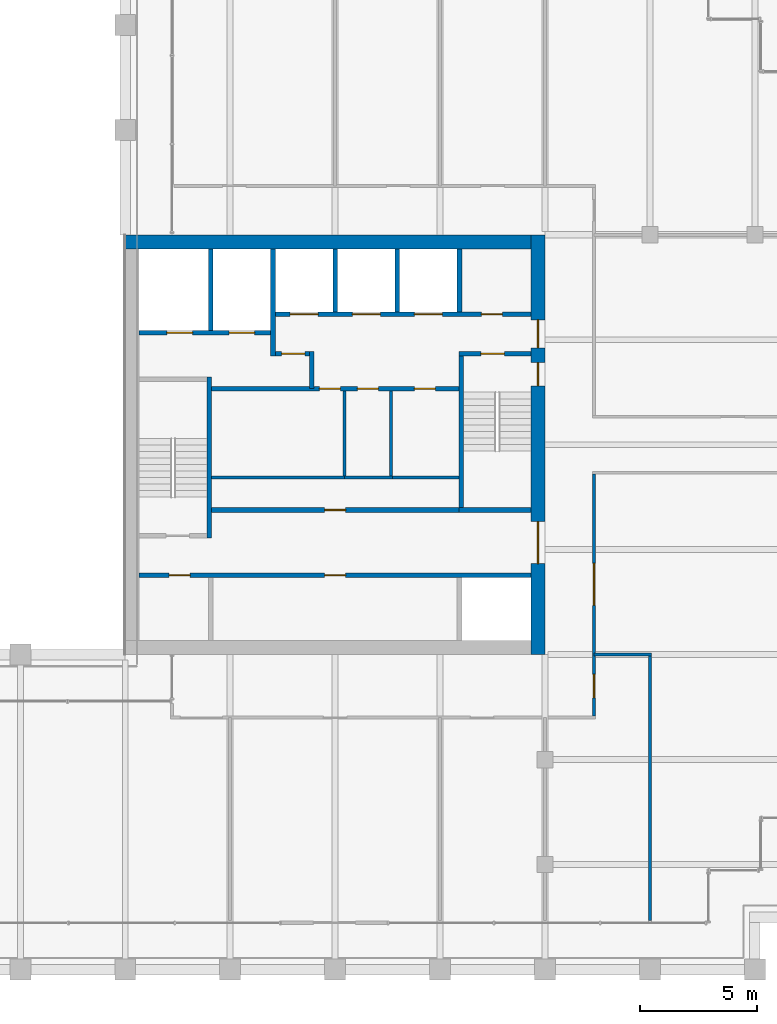
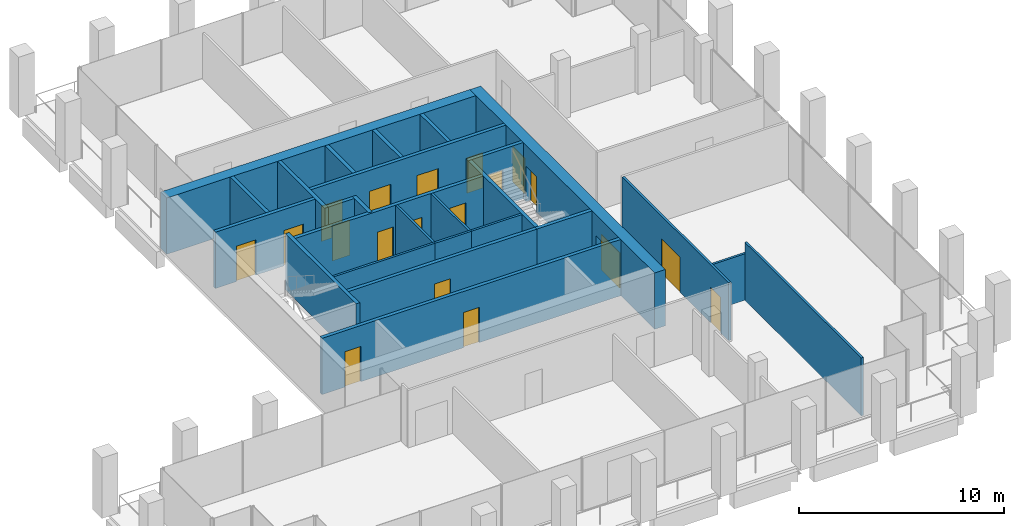
# One storey, part 36 of 40: 26 walls, 19 doors, 19 openings.
"""IFC4 building model written with IfcOpenShell, lengths in metres."""

from ifc_helpers import new_model, si_unit, direction, frame, frame_2d, origin, place, context, subcontext, project, spatial, rectangle, extrude, material, layer, layer_set, type_object, element, fill, save


model = new_model("IFC4")

# Units and contexts
model_context = context("Model", 3, precision=1e-05, world=origin(), true_north=direction((0.0, 1.0)))
body_context = subcontext(model_context, "Body", "Model", "MODEL_VIEW")
ifc_project = project(units=[si_unit("LENGTHUNIT", "METRE"), si_unit("AREAUNIT", "SQUARE_METRE"), si_unit("VOLUMEUNIT", "CUBIC_METRE"), si_unit("PLANEANGLEUNIT", "RADIAN"), si_unit("MASSUNIT", "GRAM", prefix="KILO")], contexts=[model_context])

# Site, building, storey
site_placement = place(None, origin())
site = spatial("IfcSite", under=ifc_project, at=site_placement, CompositionType="ELEMENT")
building_placement = place(site_placement, origin())
building = spatial("IfcBuilding", under=site, at=building_placement, Name="Altepetl Exchange Towers", CompositionType="ELEMENT")
storey_placement = place(building_placement, frame((0.0, 0.0, 172.60009765625)))
storey = spatial("IfcBuildingStorey", under=building, at=storey_placement, Name="L43", CompositionType="ELEMENT", Elevation=172.60009765625)

# Wall, openings, doors
ifc_material_1 = material(Name="Concrete C70/85", Category="concrete")
ifc_layer_1 = layer(ifc_material_1, 0.60009765625)
ifc_layer_set_1 = layer_set([ifc_layer_1], Name="Concrete C70/85")
wall_type_1 = type_object("IfcWallType", Name="Core wall 600 reinforced concrete", PredefinedType="SHEAR", material=ifc_layer_set_1)
wall_1_placement = place(storey_placement, frame((58.199951171875, 40.5, 0.0), z_axis=(0.0, 0.0, 1.0), x_axis=(0.0, 1.0, 0.0)))
wall_1 = element("IfcWall", 1, at=wall_1_placement, inside=storey, type_object=wall_type_1, Name="wall:A:L43:K-coreE", PredefinedType="SHEAR", context=body_context, shape_type="SweptSolid", body=[
    extrude(rectangle(XDim=18.0, YDim=0.60009765625, at=frame_2d((9.0, 0.0))), origin(), (0.0, 0.0, 1.0), 3.349853515625),
])
opening_1_placement = place(wall_1_placement, frame((13.14990234375, 0.0, 0.0)))
opening_1 = element("IfcOpeningElement", 2, at=opening_1_placement, cuts=wall_1, Name="Opening L43.A60", PredefinedType="OPENING", context=body_context, shape_type="SweptSolid", body=[
    extrude(rectangle(XDim=1.199951171875, YDim=2.10009765625, at=frame_2d((0.60009765625, 1.050048828125))), frame((0.0, 0.31005859375, 0.0), z_axis=(0.0, -1.0, 0.0), x_axis=(1.0, 0.0, 0.0)), (0.0, 0.0, 1.0), 0.6201171875),
])
opening_2_placement = place(wall_1_placement, frame((3.89990234375, 0.0, 0.0)))
opening_2 = element("IfcOpeningElement", 3, at=opening_2_placement, cuts=wall_1, Name="Opening L43.A61", PredefinedType="OPENING", context=body_context, shape_type="SweptSolid", body=[
    extrude(rectangle(XDim=1.800048828125, YDim=2.10009765625, at=frame_2d((0.89990234375, 1.050048828125))), frame((0.0, 0.31005859375, 0.0), z_axis=(0.0, -1.0, 0.0), x_axis=(1.0, 0.0, 0.0)), (0.0, 0.0, 1.0), 0.6201171875),
])
opening_3_placement = place(wall_1_placement, frame((11.52490234375, 0.0, 0.0)))
opening_3 = element("IfcOpeningElement", 4, at=opening_3_placement, cuts=wall_1, Name="Opening L43.A64", PredefinedType="OPENING", context=body_context, shape_type="SweptSolid", body=[
    extrude(rectangle(XDim=1.0, YDim=2.10009765625, at=frame_2d((0.5, 1.050048828125))), frame((0.0, 0.31005859375, 0.0), z_axis=(0.0, -1.0, 0.0), x_axis=(1.0, 0.0, 0.0)), (0.0, 0.0, 1.0), 0.6201171875),
])
ifc_material_2 = material(Name="Steel and timber fire door", Category="steel")
door_type_1 = type_object("IfcDoorType", Name="Fire door 1000 x 2100 stair and lobby", OperationType="SINGLE_SWING_LEFT", PredefinedType="DOOR", material=ifc_material_2)
door_1_placement = place(opening_3_placement, origin())
door_1 = element("IfcDoor", 5, at=door_1_placement, inside=storey, type_object=door_type_1, Name="door:A:L43:K-dS2x", OperationType="SINGLE_SWING_RIGHT", OverallHeight=2.10009765625, OverallWidth=1.0, PredefinedType="DOOR", context=body_context, shape_type="SweptSolid", body=[
    extrude(rectangle(XDim=1.0, YDim=2.10009765625, at=frame_2d((0.5, 1.050048828125))), frame((0.0, 0.02490234375, 0.0), z_axis=(0.0, -1.0, 0.0), x_axis=(1.0, 0.0, 0.0)), (0.0, 0.0, 1.0), 0.050048828125),
])
fill(opening_3, door_1)
door_type_2 = type_object("IfcDoorType", Name="Fire door 1200 x 2100 lobby entry", OperationType="SINGLE_SWING_LEFT", PredefinedType="DOOR", material=ifc_material_2)
door_2_placement = place(opening_1_placement, origin())
door_2 = element("IfcDoor", 6, at=door_2_placement, inside=storey, type_object=door_type_2, Name="door:A:L43:K-dLNE", OperationType="SINGLE_SWING_RIGHT", OverallHeight=2.10009765625, OverallWidth=1.199951171875, PredefinedType="DOOR", context=body_context, shape_type="SweptSolid", body=[
    extrude(rectangle(XDim=1.199951171875, YDim=2.10009765625, at=frame_2d((0.60009765625, 1.050048828125))), frame((0.0, 0.02490234375, 0.0), z_axis=(0.0, -1.0, 0.0), x_axis=(1.0, 0.0, 0.0)), (0.0, 0.0, 1.0), 0.050048828125),
])
fill(opening_1, door_2)
door_type_3 = type_object("IfcDoorType", Name="Fire door 1800 x 2100 lobby entry", OperationType="DOUBLE_DOOR_SINGLE_SWING", PredefinedType="DOOR", material=ifc_material_2)
door_3_placement = place(opening_2_placement, origin())
door_3 = element("IfcDoor", 7, at=door_3_placement, inside=storey, type_object=door_type_3, Name="door:A:L43:K-dLSE", OperationType="DOUBLE_DOOR_SINGLE_SWING", OverallHeight=2.10009765625, OverallWidth=1.800048828125, PredefinedType="DOOR", context=body_context, shape_type="SweptSolid", body=[
    extrude(rectangle(XDim=1.800048828125, YDim=2.10009765625, at=frame_2d((0.89990234375, 1.050048828125))), frame((0.0, 0.02490234375, 0.0), z_axis=(0.0, -1.0, 0.0), x_axis=(1.0, 0.0, 0.0)), (0.0, 0.0, 1.0), 0.050048828125),
])
fill(opening_2, door_3)

# Walls
wall_2_placement = place(storey_placement, frame((40.5, 58.199951171875, 0.0)))
element("IfcWall", 8, at=wall_2_placement, inside=storey, type_object=wall_type_1, Name="wall:A:L43:K-coreN", PredefinedType="SHEAR", context=body_context, shape_type="SweptSolid", body=[
    extrude(rectangle(XDim=17.39990234375, YDim=0.60009765625, at=frame_2d((8.699951171875, 0.0))), origin(), (0.0, 0.0, 1.0), 3.349853515625),
])
ifc_material_3 = material(Name="Concrete blockwork", Category="masonry")
ifc_layer_2 = layer(ifc_material_3, 0.199951171875)
ifc_layer_set_2 = layer_set([ifc_layer_2], Name="Concrete blockwork")
wall_type_2 = type_object("IfcWallType", Name="Lobby wall 200 blockwork", PredefinedType="PARTITIONING", material=ifc_layer_set_2)
wall_3_placement = place(storey_placement, frame((48.5, 51.89990234375, 0.0), z_axis=(0.0, 0.0, 1.0), x_axis=(0.0, 1.0, 0.0)))
element("IfcWall", 9, at=wall_3_placement, inside=storey, type_object=wall_type_2, Name="wall:A:L43:K-ffE", PredefinedType="PARTITIONING", context=body_context, shape_type="SweptSolid", body=[
    extrude(rectangle(XDim=1.60009765625, YDim=0.199951171875, at=frame_2d((0.800048828125, 0.0))), origin(), (0.0, 0.0, 1.0), 3.349853515625),
])

# Wall, opening, door
wall_4_placement = place(storey_placement, frame((46.933349609375, 53.39990234375, 0.0)))
wall_4 = element("IfcWall", 10, at=wall_4_placement, inside=storey, type_object=wall_type_2, Name="wall:A:L43:K-ffN", PredefinedType="PARTITIONING", context=body_context, shape_type="SweptSolid", body=[
    extrude(rectangle(XDim=1.466552734375, YDim=0.199951171875, at=frame_2d((0.7333984375, 0.0))), origin(), (0.0, 0.0, 1.0), 3.349853515625),
])
opening_4_placement = place(wall_4_placement, frame((0.2666015625, 0.0, 0.0)))
opening_4 = element("IfcOpeningElement", 11, at=opening_4_placement, cuts=wall_4, Name="Opening L43.A65", PredefinedType="OPENING", context=body_context, shape_type="SweptSolid", body=[
    extrude(rectangle(XDim=1.0, YDim=2.10009765625, at=frame_2d((0.5, 1.050048828125))), frame((0.0, 0.10986328125, 0.0), z_axis=(0.0, -1.0, 0.0), x_axis=(1.0, 0.0, 0.0)), (0.0, 0.0, 1.0), 0.219970703125),
])
door_4_placement = place(opening_4_placement, frame((1.0, 0.0, 0.0), x_axis=(-1.0, 0.0, 0.0)))
door_4 = element("IfcDoor", 12, at=door_4_placement, inside=storey, type_object=door_type_1, Name="door:A:L43:K-dffN", OperationType="SINGLE_SWING_RIGHT", OverallHeight=2.10009765625, OverallWidth=1.0, PredefinedType="DOOR", context=body_context, shape_type="SweptSolid", body=[
    extrude(rectangle(XDim=1.0, YDim=2.10009765625, at=frame_2d((0.5, 1.050048828125))), frame((0.0, 0.02490234375, 0.0), z_axis=(0.0, -1.0, 0.0), x_axis=(1.0, 0.0, 0.0)), (0.0, 0.0, 1.0), 0.050048828125),
])
fill(opening_4, door_4)

# Wall, openings, doors
wall_5_placement = place(storey_placement, frame((44.199951171875, 51.89990234375, 0.0)))
wall_5 = element("IfcWall", 13, at=wall_5_placement, inside=storey, type_object=wall_type_2, Name="wall:A:L43:K-zoneN", PredefinedType="PARTITIONING", context=body_context, shape_type="SweptSolid", body=[
    extrude(rectangle(XDim=10.60009765625, YDim=0.199951171875, at=frame_2d((5.300048828125, 0.0))), origin(), (0.0, 0.0, 1.0), 3.349853515625),
])
opening_5_placement = place(wall_5_placement, frame((4.625, 0.0, 0.0)))
opening_5 = element("IfcOpeningElement", 14, at=opening_5_placement, cuts=wall_5, Name="Opening L43.A70", PredefinedType="OPENING", context=body_context, shape_type="SweptSolid", body=[
    extrude(rectangle(XDim=0.89990234375, YDim=2.10009765625, at=frame_2d((0.449951171875, 1.050048828125))), frame((0.0, 0.10986328125, 0.0), z_axis=(0.0, -1.0, 0.0), x_axis=(1.0, 0.0, 0.0)), (0.0, 0.0, 1.0), 0.219970703125),
])
opening_6_placement = place(wall_5_placement, frame((6.25, 0.0, 0.0)))
opening_6 = element("IfcOpeningElement", 15, at=opening_6_placement, cuts=wall_5, Name="Opening L43.A71", PredefinedType="OPENING", context=body_context, shape_type="SweptSolid", body=[
    extrude(rectangle(XDim=0.89990234375, YDim=2.10009765625, at=frame_2d((0.449951171875, 1.050048828125))), frame((0.0, 0.10986328125, 0.0), z_axis=(0.0, -1.0, 0.0), x_axis=(1.0, 0.0, 0.0)), (0.0, 0.0, 1.0), 0.219970703125),
])
opening_7_placement = place(wall_5_placement, frame((8.699951171875, 0.0, 0.0)))
opening_7 = element("IfcOpeningElement", 16, at=opening_7_placement, cuts=wall_5, Name="Opening L43.A72", PredefinedType="OPENING", context=body_context, shape_type="SweptSolid", body=[
    extrude(rectangle(XDim=0.89990234375, YDim=2.10009765625, at=frame_2d((0.449951171875, 1.050048828125))), frame((0.0, 0.10986328125, 0.0), z_axis=(0.0, -1.0, 0.0), x_axis=(1.0, 0.0, 0.0)), (0.0, 0.0, 1.0), 0.219970703125),
])
door_type_4 = type_object("IfcDoorType", Name="Fire door 900 x 2100 service room", OperationType="SINGLE_SWING_LEFT", PredefinedType="DOOR", material=ifc_material_2)
door_5_placement = place(opening_5_placement, frame((0.89990234375, 0.0, 0.0), x_axis=(-1.0, 0.0, 0.0)))
door_5 = element("IfcDoor", 17, at=door_5_placement, inside=storey, type_object=door_type_4, Name="door:A:L43:K-dz2", OperationType="SINGLE_SWING_RIGHT", OverallHeight=2.10009765625, OverallWidth=0.89990234375, PredefinedType="DOOR", context=body_context, shape_type="SweptSolid", body=[
    extrude(rectangle(XDim=0.89990234375, YDim=2.10009765625, at=frame_2d((0.449951171875, 1.050048828125))), frame((0.0, 0.02490234375, 0.0), z_axis=(0.0, -1.0, 0.0), x_axis=(1.0, 0.0, 0.0)), (0.0, 0.0, 1.0), 0.050048828125),
])
fill(opening_5, door_5)
door_6_placement = place(opening_6_placement, frame((0.89990234375, 0.0, 0.0), x_axis=(-1.0, 0.0, 0.0)))
door_6 = element("IfcDoor", 18, at=door_6_placement, inside=storey, type_object=door_type_4, Name="door:A:L43:K-dz3", OperationType="SINGLE_SWING_LEFT", OverallHeight=2.10009765625, OverallWidth=0.89990234375, PredefinedType="DOOR", context=body_context, shape_type="SweptSolid", body=[
    extrude(rectangle(XDim=0.89990234375, YDim=2.10009765625, at=frame_2d((0.449951171875, 1.050048828125))), frame((0.0, 0.02490234375, 0.0), z_axis=(0.0, -1.0, 0.0), x_axis=(1.0, 0.0, 0.0)), (0.0, 0.0, 1.0), 0.050048828125),
])
fill(opening_6, door_6)
door_7_placement = place(opening_7_placement, frame((0.89990234375, 0.0, 0.0), x_axis=(-1.0, 0.0, 0.0)))
door_7 = element("IfcDoor", 19, at=door_7_placement, inside=storey, type_object=door_type_4, Name="door:A:L43:K-dz4", OperationType="SINGLE_SWING_LEFT", OverallHeight=2.10009765625, OverallWidth=0.89990234375, PredefinedType="DOOR", context=body_context, shape_type="SweptSolid", body=[
    extrude(rectangle(XDim=0.89990234375, YDim=2.10009765625, at=frame_2d((0.449951171875, 1.050048828125))), frame((0.0, 0.02490234375, 0.0), z_axis=(0.0, -1.0, 0.0), x_axis=(1.0, 0.0, 0.0)), (0.0, 0.0, 1.0), 0.050048828125),
])
fill(opening_7, door_7)

# Wall, opening, door
wall_6_placement = place(storey_placement, frame((44.199951171875, 46.699951171875, 0.0)))
wall_6 = element("IfcWall", 20, at=wall_6_placement, inside=storey, type_object=wall_type_2, Name="wall:A:L43:K-zoneS", PredefinedType="PARTITIONING", context=body_context, shape_type="SweptSolid", body=[
    extrude(rectangle(XDim=10.60009765625, YDim=0.199951171875, at=frame_2d((5.300048828125, 0.0))), origin(), (0.0, 0.0, 1.0), 3.349853515625),
])
opening_8_placement = place(wall_6_placement, frame((4.85009765625, 0.0, 0.0)))
opening_8 = element("IfcOpeningElement", 21, at=opening_8_placement, cuts=wall_6, Name="Opening L43.A69", PredefinedType="OPENING", context=body_context, shape_type="SweptSolid", body=[
    extrude(rectangle(XDim=0.89990234375, YDim=2.10009765625, at=frame_2d((0.449951171875, 1.050048828125))), frame((0.0, 0.10986328125, 0.0), z_axis=(0.0, -1.0, 0.0), x_axis=(1.0, 0.0, 0.0)), (0.0, 0.0, 1.0), 0.219970703125),
])
door_8_placement = place(opening_8_placement, origin())
door_8 = element("IfcDoor", 22, at=door_8_placement, inside=storey, type_object=door_type_4, Name="door:A:L43:K-dz1", OperationType="SINGLE_SWING_LEFT", OverallHeight=2.10009765625, OverallWidth=0.89990234375, PredefinedType="DOOR", context=body_context, shape_type="SweptSolid", body=[
    extrude(rectangle(XDim=0.89990234375, YDim=2.10009765625, at=frame_2d((0.449951171875, 1.050048828125))), frame((0.0, 0.02490234375, 0.0), z_axis=(0.0, -1.0, 0.0), x_axis=(1.0, 0.0, 0.0)), (0.0, 0.0, 1.0), 0.050048828125),
])
fill(opening_8, door_8)

# Walls
ifc_material_4 = material(Name="Gypsum board on steel studs", Category="steel")
ifc_layer_3 = layer(ifc_material_4, 0.125)
ifc_layer_set_3 = layer_set([ifc_layer_3], Name="Gypsum board on steel studs")
wall_type_3 = type_object("IfcWallType", Name="Partition 125 gypsum board on steel studs", PredefinedType="PARTITIONING", material=ifc_layer_set_3)
wall_7_placement = place(storey_placement, frame((49.96240234375, 48.10009765625, 0.0), z_axis=(0.0, 0.0, 1.0), x_axis=(-1.0, 0.0, 0.0)))
element("IfcWall", 23, at=wall_7_placement, inside=storey, type_object=wall_type_3, Name="wall:A:L43:K-zp1", PredefinedType="PARTITIONING", context=body_context, shape_type="SweptSolid", body=[
    extrude(rectangle(XDim=5.762451171875, YDim=0.125, at=frame_2d((2.88134765625, 0.0))), origin(), (0.0, 0.0, 1.0), 3.349853515625),
])
wall_8_placement = place(storey_placement, frame((51.96240234375, 48.10009765625, 0.0), z_axis=(0.0, 0.0, 1.0), x_axis=(-1.0, 0.0, 0.0)))
element("IfcWall", 24, at=wall_8_placement, inside=storey, type_object=wall_type_3, Name="wall:A:L43:K-zp2", PredefinedType="PARTITIONING", context=body_context, shape_type="SweptSolid", body=[
    extrude(rectangle(XDim=2.0625, YDim=0.125, at=frame_2d((1.03125, 0.0))), origin(), (0.0, 0.0, 1.0), 3.349853515625),
])
wall_9_placement = place(storey_placement, frame((49.89990234375, 48.16259765625, 0.0), z_axis=(0.0, 0.0, 1.0), x_axis=(0.0, 1.0, 0.0)))
element("IfcWall", 25, at=wall_9_placement, inside=storey, type_object=wall_type_3, Name="wall:A:L43:K-zp3", PredefinedType="PARTITIONING", context=body_context, shape_type="SweptSolid", body=[
    extrude(rectangle(XDim=3.637451171875, YDim=0.125, at=frame_2d((1.81884765625, 0.0))), origin(), (0.0, 0.0, 1.0), 3.349853515625),
])
wall_10_placement = place(storey_placement, frame((54.800048828125, 48.10009765625, 0.0), z_axis=(0.0, 0.0, 1.0), x_axis=(-1.0, 0.0, 0.0)))
element("IfcWall", 26, at=wall_10_placement, inside=storey, type_object=wall_type_3, Name="wall:A:L43:K-zp4", PredefinedType="PARTITIONING", context=body_context, shape_type="SweptSolid", body=[
    extrude(rectangle(XDim=2.900146484375, YDim=0.125, at=frame_2d((1.4501953125, 0.0))), origin(), (0.0, 0.0, 1.0), 3.349853515625),
])
wall_11_placement = place(storey_placement, frame((51.89990234375, 48.16259765625, 0.0), z_axis=(0.0, 0.0, 1.0), x_axis=(0.0, 1.0, 0.0)))
element("IfcWall", 27, at=wall_11_placement, inside=storey, type_object=wall_type_3, Name="wall:A:L43:K-zp5", PredefinedType="PARTITIONING", context=body_context, shape_type="SweptSolid", body=[
    extrude(rectangle(XDim=3.637451171875, YDim=0.125, at=frame_2d((1.81884765625, 0.0))), origin(), (0.0, 0.0, 1.0), 3.349853515625),
])
wall_12_placement = place(storey_placement, frame((60.60009765625, 40.5, 0.0)))
element("IfcWall", 28, at=wall_12_placement, inside=storey, type_object=wall_type_3, Name="wall:A:L43:P02", PredefinedType="PARTITIONING", context=body_context, shape_type="SweptSolid", body=[
    extrude(rectangle(XDim=2.46240234375, YDim=0.125, at=frame_2d((1.231201171875, 0.0))), origin(), (0.0, 0.0, 1.0), 2.765869140625),
])

# Wall, openings, doors
wall_13_placement = place(storey_placement, frame((60.60009765625, 37.862548828125, 0.0), z_axis=(0.0, 0.0, 1.0), x_axis=(0.0, 1.0, 0.0)))
wall_13 = element("IfcWall", 29, at=wall_13_placement, inside=storey, type_object=wall_type_3, Name="wall:A:L43:P18", PredefinedType="PARTITIONING", context=body_context, shape_type="SweptSolid", body=[
    extrude(rectangle(XDim=10.375, YDim=0.125, at=frame_2d((5.1875, 0.0))), origin(), (0.0, 0.0, 1.0), 3.449951171875),
])
opening_9_placement = place(wall_13_placement, frame((0.78759765625, 0.0, 0.0)))
opening_9 = element("IfcOpeningElement", 30, at=opening_9_placement, cuts=wall_13, Name="Opening L43.A04", PredefinedType="OPENING", context=body_context, shape_type="SweptSolid", body=[
    extrude(rectangle(XDim=1.0, YDim=2.10009765625, at=frame_2d((0.5, 1.050048828125))), frame((0.0, 0.072509765625, 0.0), z_axis=(0.0, -1.0, 0.0), x_axis=(1.0, 0.0, 0.0)), (0.0, 0.0, 1.0), 0.14501953125),
])
opening_10_placement = place(wall_13_placement, frame((4.74560546875, 0.0, 0.0)))
opening_10 = element("IfcOpeningElement", 31, at=opening_10_placement, cuts=wall_13, Name="Opening L43.A05", PredefinedType="OPENING", context=body_context, shape_type="SweptSolid", body=[
    extrude(rectangle(XDim=1.800048828125, YDim=2.10009765625, at=frame_2d((0.89990234375, 1.050048828125))), frame((0.0, 0.072509765625, 0.0), z_axis=(0.0, -1.0, 0.0), x_axis=(1.0, 0.0, 0.0)), (0.0, 0.0, 1.0), 0.14501953125),
])
door_type_5 = type_object("IfcDoorType", Name="Fire door 1000 x 2100 single leaf", OperationType="SINGLE_SWING_LEFT", PredefinedType="DOOR", material=ifc_material_2)
door_9_placement = place(opening_9_placement, frame((1.0, 0.0, 0.0), x_axis=(-1.0, 0.0, 0.0)))
door_9 = element("IfcDoor", 32, at=door_9_placement, inside=storey, type_object=door_type_5, Name="door:A:L43:04", OperationType="SINGLE_SWING_RIGHT", OverallHeight=2.10009765625, OverallWidth=1.0, PredefinedType="DOOR", context=body_context, shape_type="SweptSolid", body=[
    extrude(rectangle(XDim=1.0, YDim=2.10009765625, at=frame_2d((0.5, 1.050048828125))), frame((0.0, 0.02490234375, 0.0), z_axis=(0.0, -1.0, 0.0), x_axis=(1.0, 0.0, 0.0)), (0.0, 0.0, 1.0), 0.050048828125),
])
fill(opening_9, door_9)
door_type_6 = type_object("IfcDoorType", Name="Fire door 1800 x 2100 double leaf", OperationType="DOUBLE_DOOR_SINGLE_SWING", PredefinedType="DOOR", material=ifc_material_2)
door_10_placement = place(opening_10_placement, frame((1.800048828125, 0.0, 0.0), x_axis=(-1.0, 0.0, 0.0)))
door_10 = element("IfcDoor", 33, at=door_10_placement, inside=storey, type_object=door_type_6, Name="door:A:L43:05", OperationType="DOUBLE_DOOR_SINGLE_SWING", OverallHeight=2.10009765625, OverallWidth=1.800048828125, PredefinedType="DOOR", context=body_context, shape_type="SweptSolid", body=[
    extrude(rectangle(XDim=1.800048828125, YDim=2.10009765625, at=frame_2d((0.89990234375, 1.050048828125))), frame((0.0, 0.02490234375, 0.0), z_axis=(0.0, -1.0, 0.0), x_axis=(1.0, 0.0, 0.0)), (0.0, 0.0, 1.0), 0.050048828125),
])
fill(opening_10, door_10)

# Walls
wall_14_placement = place(storey_placement, frame((63.0, 29.10009765625, 0.0), z_axis=(0.0, 0.0, 1.0), x_axis=(0.0, 1.0, 0.0)))
element("IfcWall", 34, at=wall_14_placement, inside=storey, type_object=wall_type_3, Name="wall:A:L43:P20", PredefinedType="PARTITIONING", context=body_context, shape_type="SweptSolid", body=[
    extrude(rectangle(XDim=11.33740234375, YDim=0.125, at=frame_2d((5.668701171875, 0.0))), origin(), (0.0, 0.0, 1.0), 3.449951171875),
])
ifc_material_5 = material(Name="Concrete C40/50", Category="concrete")
ifc_layer_4 = layer(ifc_material_5, 0.199951171875)
ifc_layer_set_4 = layer_set([ifc_layer_4], Name="Concrete C40/50")
wall_type_4 = type_object("IfcWallType", Name="Shaft wall 200 reinforced concrete", PredefinedType="SHEAR", material=ifc_layer_set_4)
wall_15_placement = place(storey_placement, frame((44.166748046875, 57.89990234375, 0.0), z_axis=(0.0, 0.0, 1.0), x_axis=(0.0, -1.0, 0.0)))
element("IfcWall", 35, at=wall_15_placement, inside=storey, type_object=wall_type_4, Name="wall:A:L43:K-divN1", PredefinedType="SHEAR", context=body_context, shape_type="SweptSolid", body=[
    extrude(rectangle(XDim=3.5, YDim=0.199951171875, at=frame_2d((1.75, 0.0))), origin(), (0.0, 0.0, 1.0), 3.349853515625),
])
wall_16_placement = place(storey_placement, frame((46.833251953125, 57.89990234375, 0.0), z_axis=(0.0, 0.0, 1.0), x_axis=(0.0, -1.0, 0.0)))
element("IfcWall", 36, at=wall_16_placement, inside=storey, type_object=wall_type_4, Name="wall:A:L43:K-divN2", PredefinedType="SHEAR", context=body_context, shape_type="SweptSolid", body=[
    extrude(rectangle(XDim=4.599853515625, YDim=0.199951171875, at=frame_2d((2.2998046875, 0.0))), origin(), (0.0, 0.0, 1.0), 3.349853515625),
])
for number, where, z_axis, x_axis, name in (
    (37, (49.5, 57.89990234375, 0.0), (0.0, 0.0, 1.0), (0.0, -1.0, 0.0), "wall:A:L43:K-divN3"),
    (38, (52.166748046875, 57.89990234375, 0.0), (0.0, 0.0, 1.0), (0.0, -1.0, 0.0), "wall:A:L43:K-divN4"),
    (39, (54.833251953125, 57.89990234375, 0.0), (0.0, 0.0, 1.0), (0.0, -1.0, 0.0), "wall:A:L43:K-divN5"),
):
    element("IfcWall", number, at=place(storey_placement, frame(where, z_axis=z_axis, x_axis=x_axis)), inside=storey, type_object=wall_type_4, Name=name, PredefinedType="SHEAR", context=body_context, shape_type="SweptSolid", body=[
        extrude(rectangle(XDim=2.699951171875, YDim=0.199951171875, at=frame_2d((1.35009765625, 0.0))), origin(), (0.0, 0.0, 1.0), 3.349853515625),
    ])

# Wall, openings, doors
wall_17_placement = place(storey_placement, frame((46.933349609375, 55.10009765625, 0.0)))
wall_17 = element("IfcWall", 40, at=wall_17_placement, inside=storey, type_object=wall_type_4, Name="wall:A:L43:K-frontNb", PredefinedType="SHEAR", context=body_context, shape_type="SweptSolid", body=[
    extrude(rectangle(XDim=10.966552734375, YDim=0.199951171875, at=frame_2d((5.4833984375, 0.0))), origin(), (0.0, 0.0, 1.0), 3.349853515625),
])
opening_11_placement = place(wall_17_placement, frame((8.83349609375, 0.0, 0.0)))
opening_11 = element("IfcOpeningElement", 41, at=opening_11_placement, cuts=wall_17, Name="Opening L43.A66", PredefinedType="OPENING", context=body_context, shape_type="SweptSolid", body=[
    extrude(rectangle(XDim=0.89990234375, YDim=2.10009765625, at=frame_2d((0.449951171875, 1.050048828125))), frame((0.0, 0.10986328125, 0.0), z_axis=(0.0, -1.0, 0.0), x_axis=(1.0, 0.0, 0.0)), (0.0, 0.0, 1.0), 0.219970703125),
])
opening_12_placement = place(wall_17_placement, frame((0.63330078125, 0.0, 0.0)))
opening_12 = element("IfcOpeningElement", 42, at=opening_12_placement, cuts=wall_17, Name="Opening L43.A75", PredefinedType="OPENING", context=body_context, shape_type="SweptSolid", body=[
    extrude(rectangle(XDim=1.199951171875, YDim=2.10009765625, at=frame_2d((0.60009765625, 1.050048828125))), frame((0.0, 0.10986328125, 0.0), z_axis=(0.0, -1.0, 0.0), x_axis=(1.0, 0.0, 0.0)), (0.0, 0.0, 1.0), 0.219970703125),
])
opening_13_placement = place(wall_17_placement, frame((3.300048828125, 0.0, 0.0)))
opening_13 = element("IfcOpeningElement", 43, at=opening_13_placement, cuts=wall_17, Name="Opening L43.A76", PredefinedType="OPENING", context=body_context, shape_type="SweptSolid", body=[
    extrude(rectangle(XDim=1.199951171875, YDim=2.10009765625, at=frame_2d((0.60009765625, 1.050048828125))), frame((0.0, 0.10986328125, 0.0), z_axis=(0.0, -1.0, 0.0), x_axis=(1.0, 0.0, 0.0)), (0.0, 0.0, 1.0), 0.219970703125),
])
opening_14_placement = place(wall_17_placement, frame((5.966796875, 0.0, 0.0)))
opening_14 = element("IfcOpeningElement", 44, at=opening_14_placement, cuts=wall_17, Name="Opening L43.A77", PredefinedType="OPENING", context=body_context, shape_type="SweptSolid", body=[
    extrude(rectangle(XDim=1.199951171875, YDim=2.10009765625, at=frame_2d((0.60009765625, 1.050048828125))), frame((0.0, 0.10986328125, 0.0), z_axis=(0.0, -1.0, 0.0), x_axis=(1.0, 0.0, 0.0)), (0.0, 0.0, 1.0), 0.219970703125),
])
door_11_placement = place(opening_11_placement, origin())
door_11 = element("IfcDoor", 45, at=door_11_placement, inside=storey, type_object=door_type_4, Name="door:A:L43:K-driser", OperationType="SINGLE_SWING_RIGHT", OverallHeight=2.10009765625, OverallWidth=0.89990234375, PredefinedType="DOOR", context=body_context, shape_type="SweptSolid", body=[
    extrude(rectangle(XDim=0.89990234375, YDim=2.10009765625, at=frame_2d((0.449951171875, 1.050048828125))), frame((0.0, 0.02490234375, 0.0), z_axis=(0.0, -1.0, 0.0), x_axis=(1.0, 0.0, 0.0)), (0.0, 0.0, 1.0), 0.050048828125),
])
fill(opening_11, door_11)
ifc_material_6 = material(Name="Stainless steel", Category="steel")
door_type_7 = type_object("IfcDoorType", Name="Lift landing door 1200 x 2100", OperationType="SLIDING_TO_LEFT", PredefinedType="DOOR", material=ifc_material_6)
door_12_placement = place(opening_12_placement, origin())
door_12 = element("IfcDoor", 46, at=door_12_placement, inside=storey, type_object=door_type_7, Name="Landing door P5", OperationType="SLIDING_TO_LEFT", OverallHeight=2.10009765625, OverallWidth=1.199951171875, PredefinedType="DOOR", context=body_context, shape_type="SweptSolid", body=[
    extrude(rectangle(XDim=1.199951171875, YDim=2.10009765625, at=frame_2d((0.60009765625, 1.050048828125))), frame((0.0, 0.02490234375, 0.0), z_axis=(0.0, -1.0, 0.0), x_axis=(1.0, 0.0, 0.0)), (0.0, 0.0, 1.0), 0.050048828125),
])
fill(opening_12, door_12)
door_13_placement = place(opening_13_placement, origin())
door_13 = element("IfcDoor", 47, at=door_13_placement, inside=storey, type_object=door_type_7, Name="Landing door P6", OperationType="SLIDING_TO_LEFT", OverallHeight=2.10009765625, OverallWidth=1.199951171875, PredefinedType="DOOR", context=body_context, shape_type="SweptSolid", body=[
    extrude(rectangle(XDim=1.199951171875, YDim=2.10009765625, at=frame_2d((0.60009765625, 1.050048828125))), frame((0.0, 0.02490234375, 0.0), z_axis=(0.0, -1.0, 0.0), x_axis=(1.0, 0.0, 0.0)), (0.0, 0.0, 1.0), 0.050048828125),
])
fill(opening_13, door_13)
door_14_placement = place(opening_14_placement, origin())
door_14 = element("IfcDoor", 48, at=door_14_placement, inside=storey, type_object=door_type_7, Name="Landing door P7", OperationType="SLIDING_TO_LEFT", OverallHeight=2.10009765625, OverallWidth=1.199951171875, PredefinedType="DOOR", context=body_context, shape_type="SweptSolid", body=[
    extrude(rectangle(XDim=1.199951171875, YDim=2.10009765625, at=frame_2d((0.60009765625, 1.050048828125))), frame((0.0, 0.02490234375, 0.0), z_axis=(0.0, -1.0, 0.0), x_axis=(1.0, 0.0, 0.0)), (0.0, 0.0, 1.0), 0.050048828125),
])
fill(opening_14, door_14)

wall_18_placement = place(storey_placement, frame((41.10009765625, 54.300048828125, 0.0)))
wall_18 = element("IfcWall", 49, at=wall_18_placement, inside=storey, type_object=wall_type_4, Name="wall:A:L43:K-frontNd", PredefinedType="SHEAR", context=body_context, shape_type="SweptSolid", body=[
    extrude(rectangle(XDim=5.63330078125, YDim=0.199951171875, at=frame_2d((2.816650390625, 0.0))), origin(), (0.0, 0.0, 1.0), 3.349853515625),
])
opening_15_placement = place(wall_18_placement, frame((1.183349609375, 0.0, 0.0)))
opening_15 = element("IfcOpeningElement", 50, at=opening_15_placement, cuts=wall_18, Name="Opening L43.A73", PredefinedType="OPENING", context=body_context, shape_type="SweptSolid", body=[
    extrude(rectangle(XDim=1.10009765625, YDim=2.10009765625, at=frame_2d((0.550048828125, 1.050048828125))), frame((0.0, 0.10986328125, 0.0), z_axis=(0.0, -1.0, 0.0), x_axis=(1.0, 0.0, 0.0)), (0.0, 0.0, 1.0), 0.219970703125),
])
opening_16_placement = place(wall_18_placement, frame((3.85009765625, 0.0, 0.0)))
opening_16 = element("IfcOpeningElement", 51, at=opening_16_placement, cuts=wall_18, Name="Opening L43.A74", PredefinedType="OPENING", context=body_context, shape_type="SweptSolid", body=[
    extrude(rectangle(XDim=1.10009765625, YDim=2.10009765625, at=frame_2d((0.550048828125, 1.050048828125))), frame((0.0, 0.10986328125, 0.0), z_axis=(0.0, -1.0, 0.0), x_axis=(1.0, 0.0, 0.0)), (0.0, 0.0, 1.0), 0.219970703125),
])
door_type_8 = type_object("IfcDoorType", Name="Lift landing door 1100 x 2100", OperationType="SLIDING_TO_LEFT", PredefinedType="DOOR", material=ifc_material_6)
door_15_placement = place(opening_15_placement, origin())
door_15 = element("IfcDoor", 52, at=door_15_placement, inside=storey, type_object=door_type_8, Name="Landing door FFL1", OperationType="SLIDING_TO_LEFT", OverallHeight=2.10009765625, OverallWidth=1.10009765625, PredefinedType="DOOR", context=body_context, shape_type="SweptSolid", body=[
    extrude(rectangle(XDim=1.10009765625, YDim=2.10009765625, at=frame_2d((0.550048828125, 1.050048828125))), frame((0.0, 0.02490234375, 0.0), z_axis=(0.0, -1.0, 0.0), x_axis=(1.0, 0.0, 0.0)), (0.0, 0.0, 1.0), 0.050048828125),
])
fill(opening_15, door_15)
door_16_placement = place(opening_16_placement, origin())
door_16 = element("IfcDoor", 53, at=door_16_placement, inside=storey, type_object=door_type_8, Name="Landing door FFL2", OperationType="SLIDING_TO_LEFT", OverallHeight=2.10009765625, OverallWidth=1.10009765625, PredefinedType="DOOR", context=body_context, shape_type="SweptSolid", body=[
    extrude(rectangle(XDim=1.10009765625, YDim=2.10009765625, at=frame_2d((0.550048828125, 1.050048828125))), frame((0.0, 0.02490234375, 0.0), z_axis=(0.0, -1.0, 0.0), x_axis=(1.0, 0.0, 0.0)), (0.0, 0.0, 1.0), 0.050048828125),
])
fill(opening_16, door_16)

wall_19_placement = place(storey_placement, frame((41.10009765625, 43.89990234375, 0.0)))
wall_19 = element("IfcWall", 54, at=wall_19_placement, inside=storey, type_object=wall_type_4, Name="wall:A:L43:K-frontS", PredefinedType="SHEAR", context=body_context, shape_type="SweptSolid", body=[
    extrude(rectangle(XDim=16.7998046875, YDim=0.199951171875, at=frame_2d((8.39990234375, 0.0))), origin(), (0.0, 0.0, 1.0), 3.349853515625),
])
opening_17_placement = place(wall_19_placement, frame((1.283203125, 0.0, 0.0)))
opening_17 = element("IfcOpeningElement", 55, at=opening_17_placement, cuts=wall_19, Name="Opening L43.A67", PredefinedType="OPENING", context=body_context, shape_type="SweptSolid", body=[
    extrude(rectangle(XDim=0.89990234375, YDim=2.10009765625, at=frame_2d((0.449951171875, 1.050048828125))), frame((0.0, 0.10986328125, 0.0), z_axis=(0.0, -1.0, 0.0), x_axis=(1.0, 0.0, 0.0)), (0.0, 0.0, 1.0), 0.219970703125),
])
opening_18_placement = place(wall_19_placement, frame((7.949951171875, 0.0, 0.0)))
opening_18 = element("IfcOpeningElement", 56, at=opening_18_placement, cuts=wall_19, Name="Opening L43.A68", PredefinedType="OPENING", context=body_context, shape_type="SweptSolid", body=[
    extrude(rectangle(XDim=0.89990234375, YDim=2.10009765625, at=frame_2d((0.449951171875, 1.050048828125))), frame((0.0, 0.10986328125, 0.0), z_axis=(0.0, -1.0, 0.0), x_axis=(1.0, 0.0, 0.0)), (0.0, 0.0, 1.0), 0.219970703125),
])
door_17_placement = place(opening_17_placement, frame((0.89990234375, 0.0, 0.0), x_axis=(-1.0, 0.0, 0.0)))
door_17 = element("IfcDoor", 57, at=door_17_placement, inside=storey, type_object=door_type_4, Name="door:A:L43:K-dslotS0", OperationType="SINGLE_SWING_LEFT", OverallHeight=2.10009765625, OverallWidth=0.89990234375, PredefinedType="DOOR", context=body_context, shape_type="SweptSolid", body=[
    extrude(rectangle(XDim=0.89990234375, YDim=2.10009765625, at=frame_2d((0.449951171875, 1.050048828125))), frame((0.0, 0.02490234375, 0.0), z_axis=(0.0, -1.0, 0.0), x_axis=(1.0, 0.0, 0.0)), (0.0, 0.0, 1.0), 0.050048828125),
])
fill(opening_17, door_17)
door_18_placement = place(opening_18_placement, frame((0.89990234375, 0.0, 0.0), x_axis=(-1.0, 0.0, 0.0)))
door_18 = element("IfcDoor", 58, at=door_18_placement, inside=storey, type_object=door_type_4, Name="door:A:L43:K-dslotS1", OperationType="SINGLE_SWING_LEFT", OverallHeight=2.10009765625, OverallWidth=0.89990234375, PredefinedType="DOOR", context=body_context, shape_type="SweptSolid", body=[
    extrude(rectangle(XDim=0.89990234375, YDim=2.10009765625, at=frame_2d((0.449951171875, 1.050048828125))), frame((0.0, 0.02490234375, 0.0), z_axis=(0.0, -1.0, 0.0), x_axis=(1.0, 0.0, 0.0)), (0.0, 0.0, 1.0), 0.050048828125),
])
fill(opening_18, door_18)

# Wall
ifc_layer_5 = layer(ifc_material_5, 0.199951171875)
ifc_layer_set_5 = layer_set([ifc_layer_5], Name="Concrete C40/50")
wall_type_5 = type_object("IfcWallType", Name="Stair wall 200 reinforced concrete", PredefinedType="SHEAR", material=ifc_layer_set_5)
wall_20_placement = place(storey_placement, frame((44.10009765625, 45.5, 0.0), z_axis=(0.0, 0.0, 1.0), x_axis=(0.0, 1.0, 0.0)))
element("IfcWall", 59, at=wall_20_placement, inside=storey, type_object=wall_type_5, Name="wall:A:L43:K-stS1E", PredefinedType="SHEAR", context=body_context, shape_type="SweptSolid", body=[
    extrude(rectangle(XDim=6.89990234375, YDim=0.199951171875, at=frame_2d((3.449951171875, 0.0))), origin(), (0.0, 0.0, 1.0), 3.349853515625),
])

# Wall, opening, door
wall_21_placement = place(storey_placement, frame((54.800048828125, 53.39990234375, 0.0)))
wall_21 = element("IfcWall", 60, at=wall_21_placement, inside=storey, type_object=wall_type_5, Name="wall:A:L43:K-stS2N", PredefinedType="SHEAR", context=body_context, shape_type="SweptSolid", body=[
    extrude(rectangle(XDim=3.099853515625, YDim=0.199951171875, at=frame_2d((1.5498046875, 0.0))), origin(), (0.0, 0.0, 1.0), 3.349853515625),
])
opening_19_placement = place(wall_21_placement, frame((0.949951171875, 0.0, 0.0)))
opening_19 = element("IfcOpeningElement", 61, at=opening_19_placement, cuts=wall_21, Name="Opening L43.A63", PredefinedType="OPENING", context=body_context, shape_type="SweptSolid", body=[
    extrude(rectangle(XDim=1.0, YDim=2.10009765625, at=frame_2d((0.5, 1.050048828125))), frame((0.0, 0.10986328125, 0.0), z_axis=(0.0, -1.0, 0.0), x_axis=(1.0, 0.0, 0.0)), (0.0, 0.0, 1.0), 0.219970703125),
])
door_19_placement = place(opening_19_placement, frame((1.0, 0.0, 0.0), x_axis=(-1.0, 0.0, 0.0)))
door_19 = element("IfcDoor", 62, at=door_19_placement, inside=storey, type_object=door_type_1, Name="door:A:L43:K-dS2in", OperationType="SINGLE_SWING_LEFT", OverallHeight=2.10009765625, OverallWidth=1.0, PredefinedType="DOOR", context=body_context, shape_type="SweptSolid", body=[
    extrude(rectangle(XDim=1.0, YDim=2.10009765625, at=frame_2d((0.5, 1.050048828125))), frame((0.0, 0.02490234375, 0.0), z_axis=(0.0, -1.0, 0.0), x_axis=(1.0, 0.0, 0.0)), (0.0, 0.0, 1.0), 0.050048828125),
])
fill(opening_19, door_19)

# Walls
wall_22_placement = place(storey_placement, frame((54.800048828125, 46.699951171875, 0.0)))
element("IfcWall", 63, at=wall_22_placement, inside=storey, type_object=wall_type_5, Name="wall:A:L43:K-stS2S", PredefinedType="SHEAR", context=body_context, shape_type="SweptSolid", body=[
    extrude(rectangle(XDim=3.099853515625, YDim=0.199951171875, at=frame_2d((1.5498046875, 0.0))), origin(), (0.0, 0.0, 1.0), 3.349853515625),
])
wall_23_placement = place(storey_placement, frame((54.89990234375, 46.800048828125, 0.0), z_axis=(0.0, 0.0, 1.0), x_axis=(0.0, 1.0, 0.0)))
element("IfcWall", 64, at=wall_23_placement, inside=storey, type_object=wall_type_5, Name="wall:A:L43:K-stS2W", PredefinedType="SHEAR", context=body_context, shape_type="SweptSolid", body=[
    extrude(rectangle(XDim=6.5, YDim=0.199951171875, at=frame_2d((3.25, 0.0))), origin(), (0.0, 0.0, 1.0), 3.349853515625),
])

save(model, "model.ifc")
